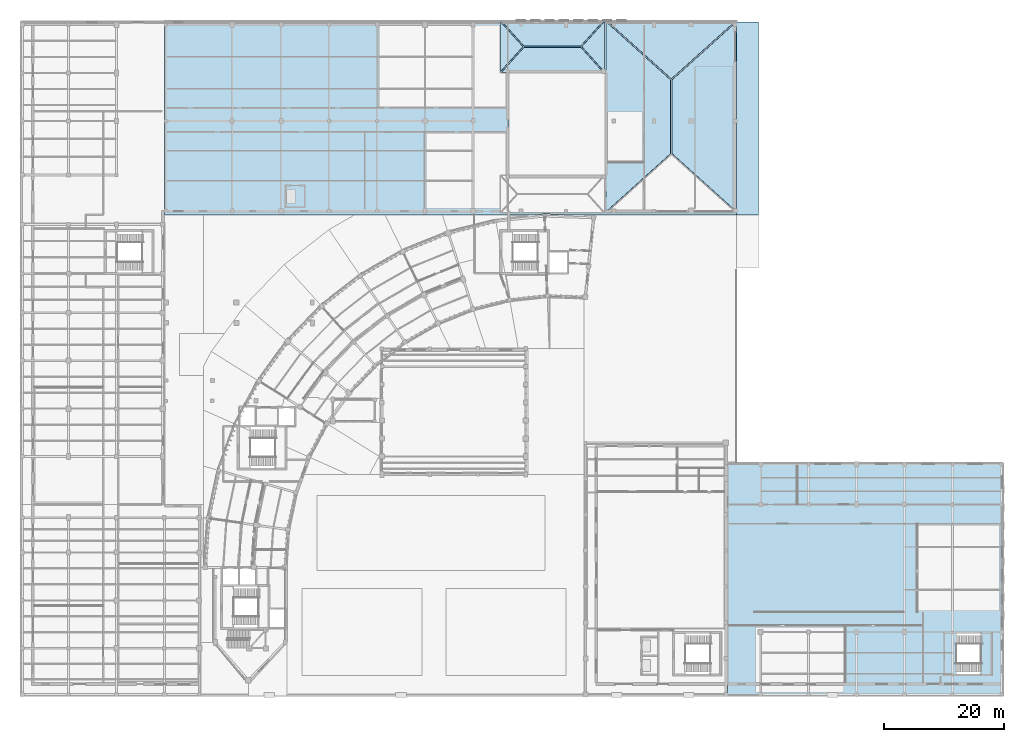
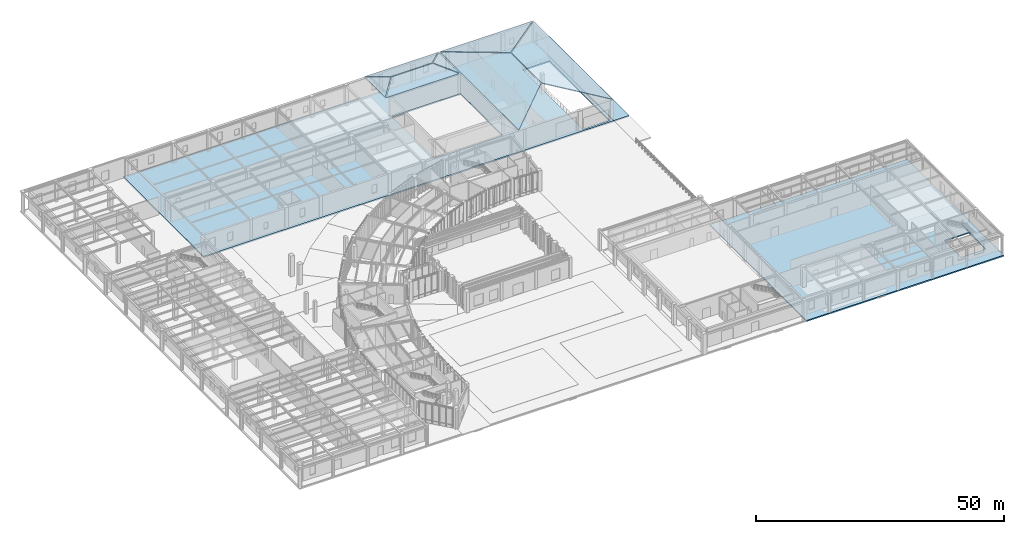
# One storey, part 29 of 68: 11 slabs, 1 element without a shape of its own.
"""IFC4 building model written with IfcOpenShell, lengths in metres."""

from ifc_helpers import new_model, si_unit, direction, frame, origin, place, context, subcontext, project, spatial, polyline, outline, extrude, material, layer, layer_set, type_object, element, aggregate, save


model = new_model("IFC4")

# Units and contexts
model_context = context("Model", 3, precision=1e-05, world=origin(), true_north=direction((0.0, 1.0)))
body_context = subcontext(model_context, "Body", "Model", "MODEL_VIEW")
ifc_project = project(units=[si_unit("LENGTHUNIT", "METRE"), si_unit("AREAUNIT", "SQUARE_METRE"), si_unit("VOLUMEUNIT", "CUBIC_METRE"), si_unit("PLANEANGLEUNIT", "RADIAN"), si_unit("MASSUNIT", "GRAM", prefix="KILO"), si_unit("THERMODYNAMICTEMPERATUREUNIT", "KELVIN"), si_unit("POWERUNIT", "WATT")], contexts=[model_context])

# Site, building, storey
site_placement = place(None, origin())
site = spatial("IfcSite", under=ifc_project, at=site_placement, CompositionType="ELEMENT")
building_placement = place(site_placement, origin())
building = spatial("IfcBuilding", under=site, at=building_placement, Name="Solvatero Civic Police Headquarters", CompositionType="ELEMENT")
storey_placement = place(building_placement, origin())
storey = spatial("IfcBuildingStorey", under=building, at=storey_placement, Name="L00", CompositionType="ELEMENT", Elevation=0.0)

# Stair, slab
ifc_material_1 = material(Name="Precast concrete C40/50", Category="concrete")
stair_type = type_object("IfcStairType", Name="STR-C145-510", PredefinedType="HALF_TURN_STAIR", material=ifc_material_1)
stair_placement = place(storey_placement, origin())
stair = element("IfcStair", 1, at=stair_placement, inside=storey, type_object=stair_type, Name="Protected Exit Stair ST-C6 (L00 to L01)", PredefinedType="HALF_TURN_STAIR")
ifc_layer_1 = layer(ifc_material_1, 0.199951171875)
ifc_layer_set_1 = layer_set([ifc_layer_1], Name="Precast concrete C40/50")
slab_type_1 = type_object("IfcSlabType", Name="SLB-LND-200", PredefinedType="LANDING", material=ifc_layer_set_1)
slab_1_placement = place(storey_placement, frame((0.0, 0.0, 2.35009765625)))
slab_1 = element("IfcSlab", 2, at=slab_1_placement, type_object=slab_type_1, Name="ST-C6 L00 Half-Landing", PredefinedType="LANDING", context=body_context, shape_type="SweptSolid", body=[
    extrude(outline(polyline([(164.764892578125, 8.050048828125), (166.550048828125, 8.050048828125), (166.550048828125, 15.14990234375), (164.764892578125, 15.14990234375), (164.764892578125, 8.050048828125)])), origin(), (0.0, 0.0, 1.0), 0.199951171875),
])
aggregate(stair, [slab_1])

# Slabs
ifc_material_2 = material(Name="Concrete C40/50", Category="concrete")
ifc_layer_2 = layer(ifc_material_2, 0.300048828125)
ifc_layer_set_2 = layer_set([ifc_layer_2], Name="Concrete C40/50")
slab_type_2 = type_object("IfcSlabType", Name="SLB-RC-300", PredefinedType="FLOOR", material=ifc_layer_set_2)
slab_2_placement = place(storey_placement, frame((0.0, 0.0, -0.300048828125)))
element("IfcSlab", 3, at=slab_2_placement, inside=storey, type_object=slab_type_2, Name="L00 Suspended floor slab SLB-L00-V3", PredefinedType="FLOOR", context=body_context, shape_type="SweptSolid", body=[
    extrude(outline(polyline([(168.5, 43.5), (168.5, 4.5), (122.501953125, 4.5), (122.501953125, 43.5), (168.5, 43.5)]), holes=[polyline([(166.39990234375, 15.0), (160.659912109375, 15.0), (160.659912109375, 8.199951171875), (166.39990234375, 8.199951171875), (166.39990234375, 15.0)])]), origin(), (0.0, 0.0, 1.0), 0.300048828125),
])
slab_3_placement = place(storey_placement, frame((0.0, 0.0, -0.300048828125)))
element("IfcSlab", 4, at=slab_3_placement, inside=storey, type_object=slab_type_2, Name="L00 Sallyport East Driveway Apron", ObjectType="PAVING", PredefinedType="USERDEFINED", context=body_context, shape_type="SweptSolid", body=[
    extrude(outline(polyline([(127.60009765625, 117.0), (127.60009765625, 84.802001953125), (124.001953125, 84.802001953125), (124.001953125, 117.0), (127.60009765625, 117.0)])), origin(), (0.0, 0.0, 1.0), 0.300048828125),
])
ifc_layer_3 = layer(ifc_material_2, 0.320068359375)
ifc_layer_set_3 = layer_set([ifc_layer_3], Name="Concrete C40/50")
slab_type_3 = type_object("IfcSlabType", Name="SLB-RC-320", PredefinedType="FLOOR", material=ifc_layer_set_3)
slab_4_placement = place(storey_placement, frame((0.0, 0.0, -0.320068359375)))
element("IfcSlab", 5, at=slab_4_placement, inside=storey, type_object=slab_type_3, Name="L00 Suspended floor slab SLB-L00-V7", PredefinedType="FLOOR", context=body_context, shape_type="SweptSolid", body=[
    extrude(outline(polyline([(124.0, 117.199951171875), (124.0, 84.800048828125), (96.697021484375, 84.800048828125), (91.938720703125, 84.96630859375), (90.360595703125, 84.800048828125), (28.501953125, 84.800048828125), (28.501953125, 117.199951171875), (124.0, 117.199951171875)]), holes=[polyline([(86.0, 108.5), (86.0, 91.5), (102.0, 91.5), (102.0, 108.5), (86.0, 108.5)]), polyline([(123.300048828125, 109.5), (117.10009765625, 109.5), (117.10009765625, 85.300048828125), (123.300048828125, 85.300048828125), (123.300048828125, 109.5)])]), origin(), (0.0, 0.0, 1.0), 0.320068359375),
])
ifc_material_3 = material(Name="Concrete C35/45", Category="concrete")
ifc_layer_4 = layer(ifc_material_3, 0.179931640625)
ifc_layer_set_4 = layer_set([ifc_layer_4], Name="Concrete C35/45")
slab_type_4 = type_object("IfcSlabType", Name="SLB-RF-COT-180", PredefinedType="ROOF", material=ifc_layer_set_4)
slab_5_placement = place(storey_placement, frame((112.99169921875, 95.0595703125, 6.831298828125), z_axis=(-0.170854817285, 0.0, 0.98529621506), x_axis=(-0.737193485776, -0.663479140434, -0.127832682589)))
element("IfcSlab", 6, at=slab_5_placement, inside=storey, type_object=slab_type_4, Name="SLYP Lombard Hipped Roof Slab W", PredefinedType="ROOF", context=body_context, shape_type="SweptSolid", body=[
    extrude(outline(polyline([(0.0, 0.0), (14.638962843677186, 3.608224830031759e-16), (-6.397343066953431, -23.722304641014713), (-8.148191211248745, -9.188584488534229), (0.0, 0.0)])), origin(), (0.0, 0.0, -1.0), 0.179931640625),
])
slab_6_placement = place(storey_placement, frame((113.20849609375, 107.340576171875, 6.831298828125), z_axis=(0.170858569766, 0.0, 0.985295564355), x_axis=(0.737194028915, 0.663477961592, -0.127835668785)))
element("IfcSlab", 7, at=slab_6_placement, inside=storey, type_object=slab_type_4, Name="SLYP Lombard Hipped Roof Slab E", PredefinedType="ROOF", context=body_context, shape_type="SweptSolid", body=[
    extrude(outline(polyline([(0.0, 0.0), (14.638620882664403, 2.498001805406602e-16), (-6.39764765152634, -23.72233778539032), (-8.148176733878993, -9.188597326658524), (0.0, 0.0)])), origin(), (0.0, 0.0, -1.0), 0.179931640625),
])
slab_7_placement = place(storey_placement, frame((102.36279296875, 117.199951171875, 4.9599609375), z_axis=(0.0, 0.189188754129, 0.981940739205), x_axis=(1.0, 0.0, 0.0)))
element("IfcSlab", 8, at=slab_7_placement, inside=storey, type_object=slab_type_4, Name="SLYP Lombard Hipped Roof Slab N", PredefinedType="ROOF", context=body_context, shape_type="SweptSolid", body=[
    extrude(outline(polyline([(0.0, 0.0), (21.474365234375, 0.0), (10.7373046875, -9.841052206414565), (0.0, 0.0)])), origin(), (0.0, 0.0, -1.0), 0.179931640625),
])
for number, where, z_axis, x_axis, name in (
    (9, (97.9794921875, 112.794677734375, 6.218505859375), (0.0, -0.287383687176, 0.957815544009), (0.65295106991, -0.725449581747, -0.217664431285), "CUSYN Lombard Hipped Roof Slab S"),
    (10, (88.5205078125, 113.00537109375, 6.218505859375), (0.0, 0.287383687176, 0.957815544009), (-0.65295106991, 0.725449581747, -0.217664431285), "CUSYN Lombard Hipped Roof Slab N"),
):
    element("IfcSlab", number, at=place(storey_placement, frame(where, z_axis=z_axis, x_axis=x_axis)), inside=storey, type_object=slab_type_4, Name=name, PredefinedType="ROOF", context=body_context, shape_type="SweptSolid", body=[
        extrude(outline(polyline([(0.0, 0.0), (5.782042175868175, 2.220446049250313e-16), (-5.324502487900186, -12.883198059843304), (-6.17625396792171, -7.164235641729374), (0.0, 0.0)])), origin(), (0.0, 0.0, -1.0), 0.179931640625),
    ])
slab_8_placement = place(storey_placement, frame((84.60009765625, 108.759765625, 4.9599609375), z_axis=(-0.316265061181, 0.0, 0.948670865515), x_axis=(0.0, 1.0, 0.0)))
element("IfcSlab", 11, at=slab_8_placement, inside=storey, type_object=slab_type_4, Name="CUSYN Lombard Hipped Roof Slab W", PredefinedType="ROOF", context=body_context, shape_type="SweptSolid", body=[
    extrude(outline(polyline([(0.0, 0.0), (8.280517578125, 0.0), (4.14013671875, -3.92767855975889), (0.0, 0.0)])), origin(), (0.0, 0.0, -1.0), 0.179931640625),
])
slab_9_placement = place(storey_placement, frame((101.89990234375, 117.040283203125, 4.9599609375), z_axis=(0.316265061181, 0.0, 0.948670865515), x_axis=(0.0, -1.0, 0.0)))
element("IfcSlab", 12, at=slab_9_placement, inside=storey, type_object=slab_type_4, Name="CUSYN Lombard Hipped Roof Slab E", PredefinedType="ROOF", context=body_context, shape_type="SweptSolid", body=[
    extrude(outline(polyline([(0.0, 0.0), (8.280517578125, 0.0), (4.140380859375, -3.92767855975889), (0.0, 0.0)])), origin(), (0.0, 0.0, -1.0), 0.179931640625),
])

save(model, "model.ifc")
